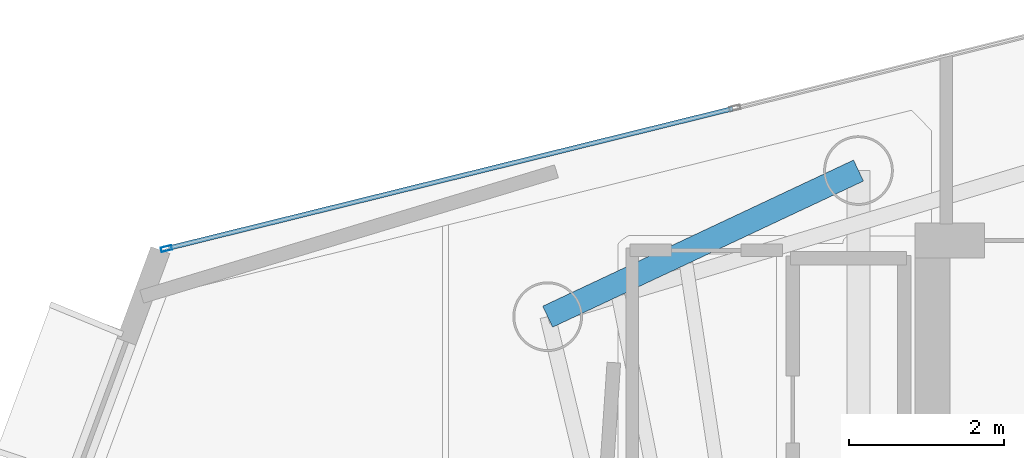
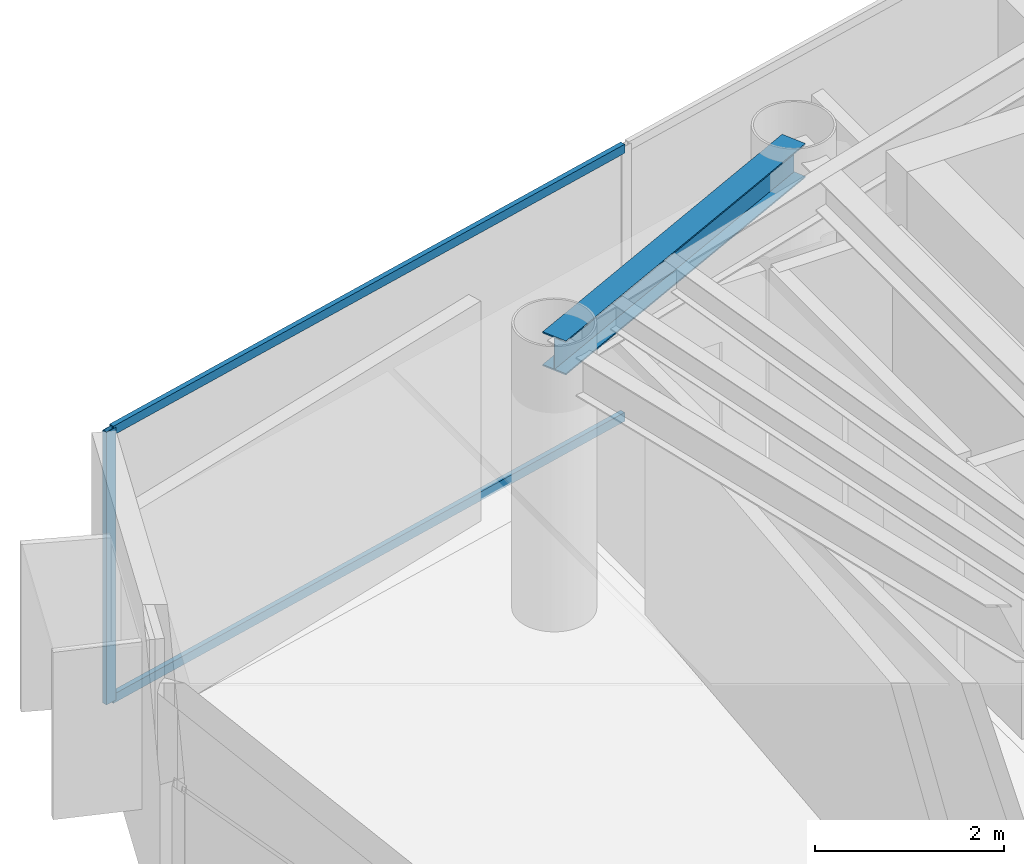
# One storey, part 9 of 21: 3 members, 1 beam, 1 element without a shape of its own.
"""IFC4 building model written with IfcOpenShell, lengths in metres."""

from ifc_helpers import new_model, si_unit, direction, frame, origin, origin_2d, place, context, subcontext, project, spatial, hollow_rectangle, i_section, extrude, material, layer, layer_set, material_profile, profile_set, type_object, element, aggregate, save


model = new_model("IFC4")

# Units and contexts
model_context = context("Model", 3, precision=1e-05, world=origin(), true_north=direction((0.0, 1.0)))
body_context = subcontext(model_context, "Body", "Model", "MODEL_VIEW")
ifc_project = project(units=[si_unit("LENGTHUNIT", "METRE"), si_unit("AREAUNIT", "SQUARE_METRE"), si_unit("VOLUMEUNIT", "CUBIC_METRE"), si_unit("PLANEANGLEUNIT", "RADIAN"), si_unit("MASSUNIT", "GRAM", prefix="KILO")], contexts=[model_context])

# Site, building, storey
site_placement = place(None, origin())
site = spatial("IfcSite", under=ifc_project, at=site_placement, CompositionType="ELEMENT")
building_placement = place(site_placement, origin())
building = spatial("IfcBuilding", under=site, at=building_placement, Name="Qianvela Tower", CompositionType="ELEMENT")
storey_placement = place(building_placement, frame((0.0, 0.0, 310.199951171875)))
storey = spatial("IfcBuildingStorey", under=building, at=storey_placement, Name="L80", CompositionType="ELEMENT", Elevation=310.199951171875)

# Beam
ifc_material_1 = material(Name="Steel Q355B", Category="steel")
ifc_material_profile_1 = material_profile(ifc_material_1, i_section(OverallWidth=0.300048828125, OverallDepth=0.43994140625, WebThickness=0.010986328125, FlangeThickness=0.01806640625, at=origin_2d()), Name="HM440x300x11x18")
ifc_profile_set_1 = profile_set([ifc_material_profile_1], Name="Steel Q355B")
beam_type = type_object("IfcBeamType", Name="BM-HM440-COLL", PredefinedType="BEAM", material=ifc_profile_set_1)
beam_placement = place(storey_placement, frame((28.60009765625, 33.550048828125, 3.298095703125), z_axis=(-0.904957143986, -0.425502723316, 0.0), x_axis=(0.425502723316, -0.904957143986, 0.0)))
element("IfcBeam", 1, at=beam_placement, inside=storey, type_object=beam_type, Name="L80 Radial Primary Floor Girder 3", PredefinedType="BEAM", context=body_context, shape_type="SweptSolid", body=[
    extrude(i_section(OverallWidth=0.300048828125, OverallDepth=0.43994140625, WebThickness=0.010986328125, FlangeThickness=0.01806640625, at=origin_2d()), origin(), (0.0, 0.0, 1.0), 4.4345703125),
])

# Curtain wall, members
ifc_material_2 = material(Name="Anodised Architectural Aluminium and Low-E Glass", Category="aluminium")
ifc_layer = layer(ifc_material_2, 0.14990234375)
ifc_layer_set = layer_set([ifc_layer], Name="Anodised Architectural Aluminium and Low-E Glass")
curtain_wall_type = type_object("IfcCurtainWallType", Name="CW-COLIV-Z78", PredefinedType="USERDEFINED", material=ifc_layer_set)
curtain_wall_placement = place(storey_placement, origin())
curtain_wall = element("IfcCurtainWall", 2, at=curtain_wall_placement, inside=storey, type_object=curtain_wall_type, Name="L80 CW-COLIV-Z78 Curtain Wall 02C", ObjectType="CURTAIN_WALL_SYSTEM", PredefinedType="USERDEFINED")
ifc_material_3 = material(Name="Anodised Architectural Aluminium 6063-T6", Category="aluminium")
ifc_material_profile_2 = material_profile(ifc_material_3, hollow_rectangle(XDim=0.06005859375, YDim=0.139892578125, WallThickness=0.00439453125, at=origin_2d()), Name="ALU-MULL-60x140")
ifc_profile_set_2 = profile_set([ifc_material_profile_2], Name="Anodised Architectural Aluminium 6063-T6")
member_type_1 = type_object("IfcMemberType", Name="CW-COLIV-Z78-MULL", PredefinedType="MULLION", material=ifc_profile_set_2)
member_1_placement = place(storey_placement, frame((19.66357421875, 32.541748046875, 0.0), z_axis=(0.0, 0.0, 1.0), x_axis=(0.240007186942, -0.970771111136, 0.0)))
member_1 = element("IfcMember", 3, at=member_1_placement, type_object=member_type_1, Name="CW-6 mullion 3", PredefinedType="MULLION", context=body_context, shape_type="SweptSolid", body=[
    extrude(hollow_rectangle(XDim=0.06005859375, YDim=0.139892578125, WallThickness=0.00439453125, at=origin_2d()), origin(), (0.0, 0.0, 1.0), 3.52001953125),
])
ifc_material_4 = material(Name="Anodised Architectural Aluminium 6063-T6", Category="aluminium")
ifc_material_profile_3 = material_profile(ifc_material_4, hollow_rectangle(XDim=0.06005859375, YDim=0.114990234375, WallThickness=0.00390625, at=origin_2d()), Name="ALU-TRAN-60x115")
ifc_profile_set_3 = profile_set([ifc_material_profile_3], Name="Anodised Architectural Aluminium 6063-T6")
member_type_2 = type_object("IfcMemberType", Name="CW-COLIV-Z78-TRAN", PredefinedType="USERDEFINED", material=ifc_profile_set_3)
member_2_placement = place(storey_placement, frame((26.974853515625, 34.349365234375, 0.030029296875), z_axis=(-0.970767185335, -0.240023065303, 0.0), x_axis=(0.240023065303, -0.970767185335, 0.0)))
member_2 = element("IfcMember", 4, at=member_2_placement, type_object=member_type_2, Name="CW-6 transom 2.1", ObjectType="TRANSOM", PredefinedType="USERDEFINED", context=body_context, shape_type="SweptSolid", body=[
    extrude(hollow_rectangle(XDim=0.06005859375, YDim=0.114990234375, WallThickness=0.00390625, at=origin_2d()), origin(), (0.0, 0.0, 1.0), 7.50146484375),
])
member_3_placement = place(storey_placement, frame((26.974853515625, 34.349365234375, 3.489990234375), z_axis=(-0.970767185335, -0.240023065303, 0.0), x_axis=(0.240023065303, -0.970767185335, 0.0)))
member_3 = element("IfcMember", 5, at=member_3_placement, type_object=member_type_2, Name="CW-6 transom 2.2", ObjectType="TRANSOM", PredefinedType="USERDEFINED", context=body_context, shape_type="SweptSolid", body=[
    extrude(hollow_rectangle(XDim=0.06005859375, YDim=0.114990234375, WallThickness=0.00390625, at=origin_2d()), origin(), (0.0, 0.0, 1.0), 7.50146484375),
])
aggregate(curtain_wall, [member_1, member_2, member_3])

save(model, "model.ifc")
